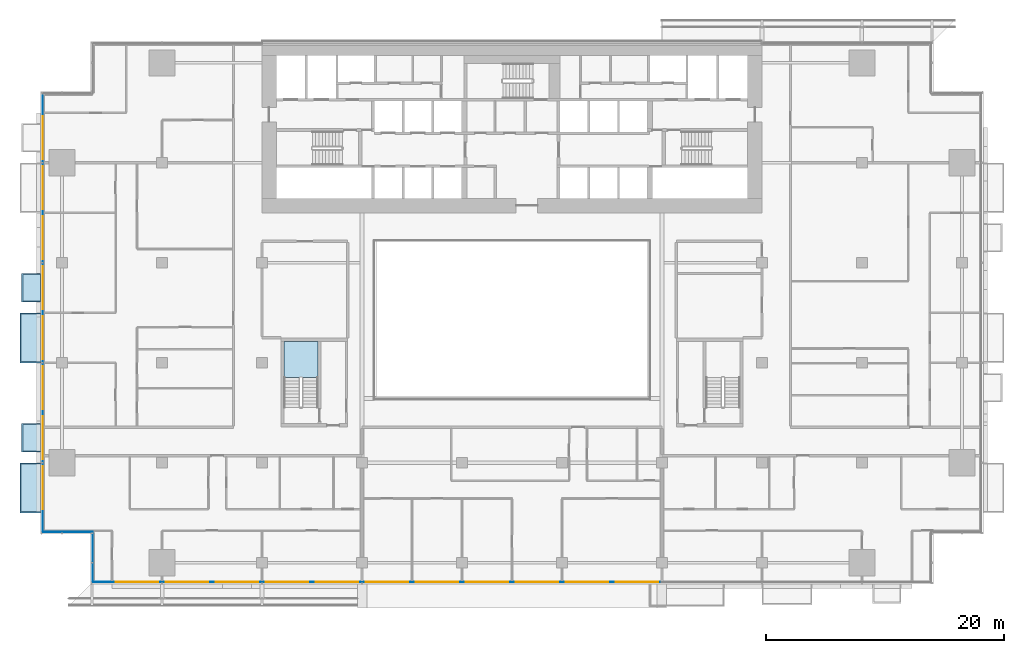
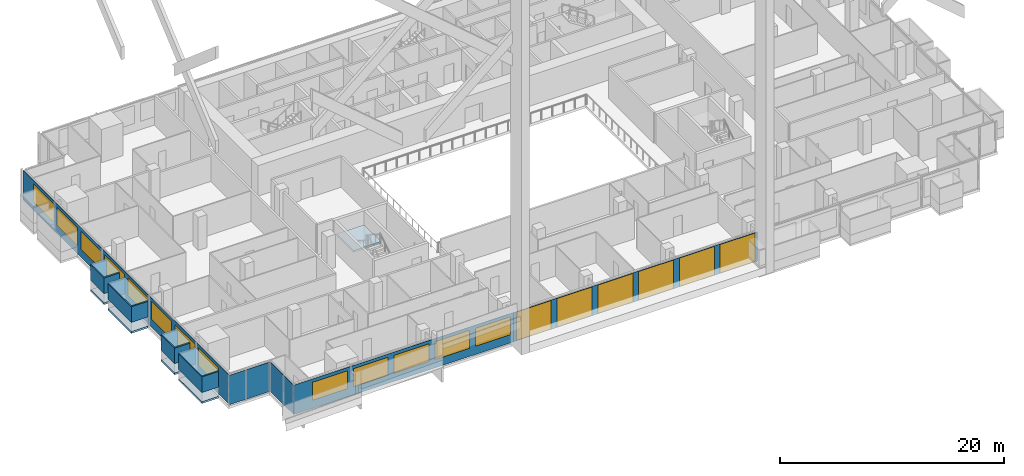
# One storey, part 14 of 30: 19 windows, 13 plates, 5 slabs, 19 openings, 5 elements without a shape of their own.
"""IFC4 building model written with IfcOpenShell, lengths in metres."""

import ifcopenshell
import ifcopenshell.guid

model = None  # the IFC model being written
_history = None  # IfcOwnerHistory: only IFC2X3 demands one
_inside = {}  # id of a spatial element -> (the spatial element, [elements in it])
_under = {}  # id of a project, library or spatial element -> (it, [spatial elements below it])
_declared = {}  # id of a project -> (the project, [libraries it declares])
_typed = {}  # id of a type object -> (the type object, [elements of that type])
_made_of = {}  # id of a material, layer set ... -> (it, [elements and type objects made of it])


def new_model(schema):
    """Start an empty IFC model of exactly this schema.

    Asked for "IFC4X3", IfcOpenShell would pick the latest addendum, in which some entities
    have other attributes; the version numbers below select the first issue.
    IFC2X3 requires an IfcOwnerHistory on every rooted entity: one is made here for all.
    """
    global model, _history
    if schema == "IFC4X3":
        model = ifcopenshell.file(schema_version=(4, 3, 0, 0))
    else:
        model = ifcopenshell.file(schema=schema)
    _inside.clear()
    _under.clear()
    _declared.clear()
    _typed.clear()
    _made_of.clear()
    _history = None
    if model.schema == "IFC2X3":
        org = make("IfcOrganization", Name="unknown")
        user = make(
            "IfcPersonAndOrganization",
            ThePerson=make("IfcPerson", FamilyName="unknown"),
            TheOrganization=org,
        )
        app = make(
            "IfcApplication",
            ApplicationDeveloper=org,
            Version="unknown",
            ApplicationFullName="unknown",
            ApplicationIdentifier="unknown",
        )
        _history = make(
            "IfcOwnerHistory",
            OwningUser=user,
            OwningApplication=app,
            ChangeAction="ADDED",
            CreationDate=0,
        )
    return model


def make(cls, **values):
    """One entity of the class cls with the attributes given. An attribute that is None is left unset."""
    return model.create_entity(
        cls, **{name: value for name, value in values.items() if value is not None}
    )


def rooted(cls, **values):
    """An entity with a GlobalId (a new one), such as an element, a storey or a relation."""
    return make(cls, GlobalId=ifcopenshell.guid.new(), OwnerHistory=_history, **values)


def si_unit(unit_type, name, prefix=None):
    """IfcSIUnit, for example si_unit("LENGTHUNIT", "METRE", prefix="MILLI")."""
    return make("IfcSIUnit", UnitType=unit_type, Prefix=prefix, Name=name)


def assignment(units):
    """IfcUnitAssignment: the units of a project."""
    return None if units is None else make("IfcUnitAssignment", Units=units)


def point(xyz):
    """IfcCartesianPoint."""
    return None if xyz is None else make("IfcCartesianPoint", Coordinates=xyz)


def direction(xyz):
    """IfcDirection."""
    return None if xyz is None else make("IfcDirection", DirectionRatios=xyz)


def frame(location, z_axis=None, x_axis=None):
    """IfcAxis2Placement3D, a coordinate frame: its origin and axes. An axis left out is left unset."""
    return make(
        "IfcAxis2Placement3D",
        Location=point(location),
        Axis=direction(z_axis),
        RefDirection=direction(x_axis),
    )


def frame_2d(location, x_axis=None):
    """IfcAxis2Placement2D, a coordinate frame in the plane: its origin and x axis."""
    return make(
        "IfcAxis2Placement2D", Location=point(location), RefDirection=direction(x_axis)
    )


def origin():
    """The frame at (0, 0, 0) with its axes left unset."""
    return frame((0.0, 0.0, 0.0))


def place(relative_to, where):
    """IfcLocalPlacement: puts the frame where relative to a parent placement (None: the world)."""
    return make(
        "IfcLocalPlacement", PlacementRelTo=relative_to, RelativePlacement=where
    )


def context(
    kind, dimensions, precision=None, world=None, true_north=None, identifier=None
):
    """IfcGeometricRepresentationContext, for example the 3D "Model" context."""
    return make(
        "IfcGeometricRepresentationContext",
        ContextIdentifier=identifier,
        ContextType=kind,
        CoordinateSpaceDimension=dimensions,
        Precision=precision,
        WorldCoordinateSystem=world,
        TrueNorth=true_north,
    )


def subcontext(parent, identifier, kind, view, scale=None):
    """IfcGeometricRepresentationSubContext, for example "Body" below "Model"."""
    return make(
        "IfcGeometricRepresentationSubContext",
        ContextIdentifier=identifier,
        ContextType=kind,
        ParentContext=parent,
        TargetScale=scale,
        TargetView=view,
    )


def project(units=None, contexts=None):
    """IfcProject with its units and contexts."""
    return rooted(
        "IfcProject",
        Name="project",
        RepresentationContexts=contexts,
        UnitsInContext=assignment(units),
    )


def spatial(cls, under=None, at=None, **own):
    """A site, building, storey or space (cls), placed at a placement, below another one or the project."""
    s = rooted(cls, ObjectPlacement=at, **own)
    if under is not None:
        _under.setdefault(under.id(), (under, []))[1].append(s)
    return s


def polyline(points):
    """IfcPolyline through the points."""
    return make("IfcPolyline", Points=[point(p) for p in points])


def profile(cls, at=None, kind="AREA", **sizes):
    """A parametric profile (cls). Its sizes go by their IFC names, for example OverallWidth=200.0."""
    return make(cls, ProfileType=kind, Position=at, **sizes)


def rectangle(**sizes):
    """IfcRectangleProfileDef."""
    return profile("IfcRectangleProfileDef", **sizes)


def outline(outer, holes=None, kind="AREA"):
    """IfcArbitraryClosedProfileDef: a profile drawn as a closed curve; with holes, ...WithVoids."""
    if holes is None:
        return make("IfcArbitraryClosedProfileDef", ProfileType=kind, OuterCurve=outer)
    return make(
        "IfcArbitraryProfileDefWithVoids",
        ProfileType=kind,
        OuterCurve=outer,
        InnerCurves=holes,
    )


def extrude(swept, where, along, depth):
    """IfcExtrudedAreaSolid: the profile swept, set in the frame where, extruded along a direction by depth."""
    return make(
        "IfcExtrudedAreaSolid",
        SweptArea=swept,
        Position=where,
        ExtrudedDirection=direction(along),
        Depth=depth,
    )


def shape(context_of_items, identifier, shape_type, items):
    """IfcShapeRepresentation: the items that make up one representation, for example the "Body"."""
    return make(
        "IfcShapeRepresentation",
        ContextOfItems=context_of_items,
        RepresentationIdentifier=identifier,
        RepresentationType=shape_type,
        Items=items,
    )


def material(Name=None, Category=None):
    """IfcMaterial."""
    return make("IfcMaterial", Name=Name, Category=Category)


def layer(
    of_material, thickness, ventilated=None, Name=None, Category=None, Priority=None
):
    """IfcMaterialLayer: one layer of a wall or slab, of a material (None: an air gap)."""
    return make(
        "IfcMaterialLayer",
        Material=of_material,
        LayerThickness=thickness,
        IsVentilated=ventilated,
        Name=Name,
        Category=Category,
        Priority=Priority,
    )


def layer_set(layers, Name=None):
    """IfcMaterialLayerSet."""
    return make("IfcMaterialLayerSet", MaterialLayers=layers, LayerSetName=Name)


def made_of(thing, what):
    """Note that an element or type object is made of a material, layer set ...; save() writes the relation."""
    if what is not None:
        _made_of.setdefault(what.id(), (what, []))[1].append(thing)
    return thing


def type_object(cls, material=None, **own):
    """A type object (cls), such as IfcWallType, which elements share."""
    return made_of(rooted(cls, **own), material)


def element(
    cls,
    number,
    at=None,
    inside=None,
    cuts=None,
    type_object=None,
    material=None,
    context=None,
    identifier="Body",
    shape_type=None,
    held_by="IfcProductDefinitionShape",
    body=None,
    shapes=None,
    **own,
):
    """One element of the class cls, such as IfcWall. Its Tag is "e" and its number.

    at: its placement. inside: the storey or other place that contains it. cuts: it is an
    opening in that element (IfcRelVoidsElement). A single representation is given by context,
    identifier, shape_type and body (its items); several are given by shapes. held_by: the class
    of the entity that holds the representations. save() writes the other relations.
    """
    e = rooted(cls, Tag="e%d" % number, ObjectPlacement=at, **own)
    if body is not None:
        shapes = [shape(context, identifier, shape_type, body)]
    if shapes is not None:
        e.Representation = make(held_by, Representations=shapes)
    if inside is not None:
        _inside.setdefault(inside.id(), (inside, []))[1].append(e)
    if cuts is not None:
        rooted(
            "IfcRelVoidsElement", RelatingBuildingElement=cuts, RelatedOpeningElement=e
        )
    if type_object is not None:
        _typed.setdefault(type_object.id(), (type_object, []))[1].append(e)
    return made_of(e, material)


def fill(opening, filler):
    """IfcRelFillsElement: the door or window that sits in an opening."""
    return rooted(
        "IfcRelFillsElement",
        RelatingOpeningElement=opening,
        RelatedBuildingElement=filler,
    )


def aggregate(whole, parts):
    """IfcRelAggregates: a whole, such as a stair, and the parts it consists of."""
    return rooted("IfcRelAggregates", RelatingObject=whole, RelatedObjects=parts)


def save(model, path):
    """Write the relations noted so far, then the file.

    IfcRelAggregates (storeys below a building ...), IfcRelContainedInSpatialStructure (elements
    in a storey), IfcRelDefinesByType, IfcRelAssociatesMaterial and IfcRelDeclares: one each for
    every whole, place, type object, material and project.
    """
    for whole, parts in _under.values():
        aggregate(whole, parts)
    for where, things in _inside.values():
        rooted(
            "IfcRelContainedInSpatialStructure",
            RelatedElements=things,
            RelatingStructure=where,
        )
    for kind, things in _typed.values():
        rooted("IfcRelDefinesByType", RelatedObjects=things, RelatingType=kind)
    for what, things in _made_of.values():
        rooted("IfcRelAssociatesMaterial", RelatedObjects=things, RelatingMaterial=what)
    for by, libraries in _declared.values():
        rooted("IfcRelDeclares", RelatingContext=by, RelatedDefinitions=libraries)
    model.write(path)


model = new_model("IFC4")

# Units and contexts
model_context = context("Model", 3, precision=1e-05, world=origin(), true_north=direction((0.0, 1.0)))
body_context = subcontext(model_context, "Body", "Model", "MODEL_VIEW")
ifc_project = project(units=[si_unit("LENGTHUNIT", "METRE"), si_unit("AREAUNIT", "SQUARE_METRE"), si_unit("VOLUMEUNIT", "CUBIC_METRE"), si_unit("PLANEANGLEUNIT", "RADIAN"), si_unit("MASSUNIT", "GRAM", prefix="KILO")], contexts=[model_context])

# Site, building, storey
site_placement = place(None, origin())
site = spatial("IfcSite", under=ifc_project, at=site_placement, CompositionType="ELEMENT")
building_placement = place(site_placement, origin())
building = spatial("IfcBuilding", under=site, at=building_placement, Name="Saffron Gate Tower", CompositionType="ELEMENT")
storey_placement = place(building_placement, frame((0.0, 0.0, 37.199951171875)))
storey = spatial("IfcBuildingStorey", under=building, at=storey_placement, Name="L07", CompositionType="ELEMENT", Elevation=37.199951171875)

# Curtain wall, plates, openings, windows
ifc_material_1 = material(Name="Aluminium, bronze anodised", Category="aluminium")
curtain_wall_type_1 = type_object("IfcCurtainWallType", Name="CWS1 curtain wall front facade", PredefinedType="NOTDEFINED", material=ifc_material_1)
curtain_wall_1_placement = place(storey_placement, origin())
curtain_wall_1 = element("IfcCurtainWall", 1, at=curtain_wall_1_placement, inside=storey, type_object=curtain_wall_type_1, Name="CWS1 run 1", PredefinedType="NOTDEFINED")
ifc_material_2 = material(Name="Clear low-iron laminated glass", Category="glass")
ifc_layer_1 = layer(ifc_material_2, 0.028076171875)
ifc_layer_set_1 = layer_set([ifc_layer_1], Name="CWS1 clear glass")
plate_type_1 = type_object("IfcPlateType", Name="CWS1 clear glass", PredefinedType="CURTAIN_PANEL", material=ifc_layer_set_1)
plate_1_placement = place(storey_placement, frame((75.030029296875, 30.174072265625, 0.0), z_axis=(0.0, 0.0, 1.0), x_axis=(1.0, 0.0, 0.0)))
plate_1 = element("IfcPlate", 2, at=plate_1_placement, type_object=plate_type_1, Name="CWS1 clear glass panel", PredefinedType="CURTAIN_PANEL", context=body_context, shape_type="SweptSolid", body=[
    extrude(rectangle(XDim=25.139892578125, YDim=0.028076171875, at=frame_2d((12.56982421875, 0.0))), origin(), (0.0, 0.0, 1.0), 3.199951171875),
])
opening_1_placement = place(plate_1_placement, frame((0.27001953125, 0.0, 0.050048828125)))
opening_1 = element("IfcOpeningElement", 3, at=opening_1_placement, cuts=plate_1, Name="Opening WA", PredefinedType="OPENING", context=body_context, shape_type="SweptSolid", body=[
    extrude(rectangle(XDim=3.60009765625, YDim=3.10009765625, at=frame_2d((1.800048828125, 1.550048828125))), frame((0.0, 0.02392578125, 0.0), z_axis=(0.0, -1.0, 0.0), x_axis=(1.0, 0.0, 0.0)), (0.0, 0.0, 1.0), 0.048095703125),
])
opening_2_placement = place(plate_1_placement, frame((4.469970703125, 0.0, 0.050048828125)))
opening_2 = element("IfcOpeningElement", 4, at=opening_2_placement, cuts=plate_1, Name="Opening WA", PredefinedType="OPENING", context=body_context, shape_type="SweptSolid", body=[
    extrude(rectangle(XDim=3.60009765625, YDim=3.10009765625, at=frame_2d((1.800048828125, 1.550048828125))), frame((0.0, 0.02392578125, 0.0), z_axis=(0.0, -1.0, 0.0), x_axis=(1.0, 0.0, 0.0)), (0.0, 0.0, 1.0), 0.048095703125),
])
opening_3_placement = place(plate_1_placement, frame((8.669921875, 0.0, 0.050048828125)))
opening_3 = element("IfcOpeningElement", 5, at=opening_3_placement, cuts=plate_1, Name="Opening WA", PredefinedType="OPENING", context=body_context, shape_type="SweptSolid", body=[
    extrude(rectangle(XDim=3.60009765625, YDim=3.10009765625, at=frame_2d((1.800048828125, 1.550048828125))), frame((0.0, 0.02392578125, 0.0), z_axis=(0.0, -1.0, 0.0), x_axis=(1.0, 0.0, 0.0)), (0.0, 0.0, 1.0), 0.048095703125),
])
opening_4_placement = place(plate_1_placement, frame((12.8701171875, 0.0, 0.050048828125)))
opening_4 = element("IfcOpeningElement", 6, at=opening_4_placement, cuts=plate_1, Name="Opening WA", PredefinedType="OPENING", context=body_context, shape_type="SweptSolid", body=[
    extrude(rectangle(XDim=3.60009765625, YDim=3.10009765625, at=frame_2d((1.800048828125, 1.550048828125))), frame((0.0, 0.02392578125, 0.0), z_axis=(0.0, -1.0, 0.0), x_axis=(1.0, 0.0, 0.0)), (0.0, 0.0, 1.0), 0.048095703125),
])
opening_5_placement = place(plate_1_placement, frame((17.070068359375, 0.0, 0.050048828125)))
opening_5 = element("IfcOpeningElement", 7, at=opening_5_placement, cuts=plate_1, Name="Opening WA", PredefinedType="OPENING", context=body_context, shape_type="SweptSolid", body=[
    extrude(rectangle(XDim=3.60009765625, YDim=3.10009765625, at=frame_2d((1.800048828125, 1.550048828125))), frame((0.0, 0.02392578125, 0.0), z_axis=(0.0, -1.0, 0.0), x_axis=(1.0, 0.0, 0.0)), (0.0, 0.0, 1.0), 0.048095703125),
])
opening_6_placement = place(plate_1_placement, frame((21.27001953125, 0.0, 0.050048828125)))
opening_6 = element("IfcOpeningElement", 8, at=opening_6_placement, cuts=plate_1, Name="Opening WA", PredefinedType="OPENING", context=body_context, shape_type="SweptSolid", body=[
    extrude(rectangle(XDim=3.60009765625, YDim=3.10009765625, at=frame_2d((1.800048828125, 1.550048828125))), frame((0.0, 0.02392578125, 0.0), z_axis=(0.0, -1.0, 0.0), x_axis=(1.0, 0.0, 0.0)), (0.0, 0.0, 1.0), 0.048095703125),
])
ifc_material_3 = material(Name="Clear low-iron laminated glass in bronze frame", Category="glass")
ifc_layer_2 = layer(ifc_material_3, 0.06005859375)
ifc_layer_set_2 = layer_set([ifc_layer_2], Name="WA operable atrium unit 3600x3100")
window_type_1 = type_object("IfcWindowType", Name="WA operable atrium unit 3600x3100", PartitioningType="DOUBLE_PANEL_HORIZONTAL", PredefinedType="WINDOW", material=ifc_layer_set_2)
window_1_placement = place(opening_1_placement, origin())
window_1 = element("IfcWindow", 9, at=window_1_placement, type_object=window_type_1, Name="WA operable atrium unit", OverallHeight=3.10009765625, OverallWidth=3.60009765625, PartitioningType="SINGLE_PANEL", PredefinedType="WINDOW", context=body_context, shape_type="SweptSolid", body=[
    extrude(rectangle(XDim=3.60009765625, YDim=3.10009765625, at=frame_2d((1.800048828125, 1.550048828125))), frame((0.0, 0.013671875, 0.0), z_axis=(0.0, -1.0, 0.0), x_axis=(1.0, 0.0, 0.0)), (0.0, 0.0, 1.0), 0.027587890625),
])
fill(opening_1, window_1)
window_2_placement = place(opening_2_placement, origin())
window_2 = element("IfcWindow", 10, at=window_2_placement, type_object=window_type_1, Name="WA operable atrium unit", OverallHeight=3.10009765625, OverallWidth=3.60009765625, PartitioningType="SINGLE_PANEL", PredefinedType="WINDOW", context=body_context, shape_type="SweptSolid", body=[
    extrude(rectangle(XDim=3.60009765625, YDim=3.10009765625, at=frame_2d((1.800048828125, 1.550048828125))), frame((0.0, 0.013671875, 0.0), z_axis=(0.0, -1.0, 0.0), x_axis=(1.0, 0.0, 0.0)), (0.0, 0.0, 1.0), 0.027587890625),
])
fill(opening_2, window_2)
window_3_placement = place(opening_3_placement, origin())
window_3 = element("IfcWindow", 11, at=window_3_placement, type_object=window_type_1, Name="WA operable atrium unit", OverallHeight=3.10009765625, OverallWidth=3.60009765625, PartitioningType="SINGLE_PANEL", PredefinedType="WINDOW", context=body_context, shape_type="SweptSolid", body=[
    extrude(rectangle(XDim=3.60009765625, YDim=3.10009765625, at=frame_2d((1.800048828125, 1.550048828125))), frame((0.0, 0.013671875, 0.0), z_axis=(0.0, -1.0, 0.0), x_axis=(1.0, 0.0, 0.0)), (0.0, 0.0, 1.0), 0.027587890625),
])
fill(opening_3, window_3)
window_4_placement = place(opening_4_placement, origin())
window_4 = element("IfcWindow", 12, at=window_4_placement, type_object=window_type_1, Name="WA operable atrium unit", OverallHeight=3.10009765625, OverallWidth=3.60009765625, PartitioningType="SINGLE_PANEL", PredefinedType="WINDOW", context=body_context, shape_type="SweptSolid", body=[
    extrude(rectangle(XDim=3.60009765625, YDim=3.10009765625, at=frame_2d((1.800048828125, 1.550048828125))), frame((0.0, 0.013671875, 0.0), z_axis=(0.0, -1.0, 0.0), x_axis=(1.0, 0.0, 0.0)), (0.0, 0.0, 1.0), 0.027587890625),
])
fill(opening_4, window_4)
window_5_placement = place(opening_5_placement, origin())
window_5 = element("IfcWindow", 13, at=window_5_placement, type_object=window_type_1, Name="WA operable atrium unit", OverallHeight=3.10009765625, OverallWidth=3.60009765625, PartitioningType="SINGLE_PANEL", PredefinedType="WINDOW", context=body_context, shape_type="SweptSolid", body=[
    extrude(rectangle(XDim=3.60009765625, YDim=3.10009765625, at=frame_2d((1.800048828125, 1.550048828125))), frame((0.0, 0.013671875, 0.0), z_axis=(0.0, -1.0, 0.0), x_axis=(1.0, 0.0, 0.0)), (0.0, 0.0, 1.0), 0.027587890625),
])
fill(opening_5, window_5)
window_6_placement = place(opening_6_placement, origin())
window_6 = element("IfcWindow", 14, at=window_6_placement, type_object=window_type_1, Name="WA operable atrium unit", OverallHeight=3.10009765625, OverallWidth=3.60009765625, PartitioningType="SINGLE_PANEL", PredefinedType="WINDOW", context=body_context, shape_type="SweptSolid", body=[
    extrude(rectangle(XDim=3.60009765625, YDim=3.10009765625, at=frame_2d((1.800048828125, 1.550048828125))), frame((0.0, 0.013671875, 0.0), z_axis=(0.0, -1.0, 0.0), x_axis=(1.0, 0.0, 0.0)), (0.0, 0.0, 1.0), 0.027587890625),
])
fill(opening_6, window_6)
ifc_material_4 = material(Name="Fritted bronze-tinted laminated glass", Category="glass")
ifc_layer_3 = layer(ifc_material_4, 0.028076171875)
ifc_layer_set_3 = layer_set([ifc_layer_3], Name="CWS1 fixed glass")
plate_type_2 = type_object("IfcPlateType", Name="CWS1 fixed glass", PredefinedType="CURTAIN_PANEL", material=ifc_layer_set_3)
plate_2_placement = place(storey_placement, frame((52.387939453125, 30.174072265625, 0.0), z_axis=(0.0, 0.0, 1.0), x_axis=(1.0, 0.0, 0.0)))
plate_2 = element("IfcPlate", 15, at=plate_2_placement, type_object=plate_type_2, Name="CWS1 glass panel", PredefinedType="CURTAIN_PANEL", context=body_context, shape_type="SweptSolid", body=[
    extrude(rectangle(XDim=22.64208984375, YDim=0.028076171875, at=frame_2d((11.321044921875, 0.0))), origin(), (0.0, 0.0, 1.0), 3.199951171875),
])
opening_7_placement = place(plate_2_placement, frame((1.912109375, 0.0, 0.89990234375)))
opening_7 = element("IfcOpeningElement", 16, at=opening_7_placement, cuts=plate_2, Name="Opening W1", PredefinedType="OPENING", context=body_context, shape_type="SweptSolid", body=[
    extrude(rectangle(XDim=3.60009765625, YDim=1.949951171875, at=frame_2d((1.800048828125, 0.97509765625))), frame((0.0, 0.02392578125, 0.0), z_axis=(0.0, -1.0, 0.0), x_axis=(1.0, 0.0, 0.0)), (0.0, 0.0, 1.0), 0.048095703125),
])
opening_8_placement = place(plate_2_placement, frame((6.112060546875, 0.0, 0.89990234375)))
opening_8 = element("IfcOpeningElement", 17, at=opening_8_placement, cuts=plate_2, Name="Opening W1", PredefinedType="OPENING", context=body_context, shape_type="SweptSolid", body=[
    extrude(rectangle(XDim=3.60009765625, YDim=1.949951171875, at=frame_2d((1.800048828125, 0.97509765625))), frame((0.0, 0.02392578125, 0.0), z_axis=(0.0, -1.0, 0.0), x_axis=(1.0, 0.0, 0.0)), (0.0, 0.0, 1.0), 0.048095703125),
])
opening_9_placement = place(plate_2_placement, frame((10.31201171875, 0.0, 0.89990234375)))
opening_9 = element("IfcOpeningElement", 18, at=opening_9_placement, cuts=plate_2, Name="Opening W1", PredefinedType="OPENING", context=body_context, shape_type="SweptSolid", body=[
    extrude(rectangle(XDim=3.60009765625, YDim=1.949951171875, at=frame_2d((1.800048828125, 0.97509765625))), frame((0.0, 0.02392578125, 0.0), z_axis=(0.0, -1.0, 0.0), x_axis=(1.0, 0.0, 0.0)), (0.0, 0.0, 1.0), 0.048095703125),
])
opening_10_placement = place(plate_2_placement, frame((14.511962890625, 0.0, 0.89990234375)))
opening_10 = element("IfcOpeningElement", 19, at=opening_10_placement, cuts=plate_2, Name="Opening W1", PredefinedType="OPENING", context=body_context, shape_type="SweptSolid", body=[
    extrude(rectangle(XDim=3.60009765625, YDim=1.949951171875, at=frame_2d((1.800048828125, 0.97509765625))), frame((0.0, 0.02392578125, 0.0), z_axis=(0.0, -1.0, 0.0), x_axis=(1.0, 0.0, 0.0)), (0.0, 0.0, 1.0), 0.048095703125),
])
opening_11_placement = place(plate_2_placement, frame((18.7119140625, 0.0, 0.89990234375)))
opening_11 = element("IfcOpeningElement", 20, at=opening_11_placement, cuts=plate_2, Name="Opening W1", PredefinedType="OPENING", context=body_context, shape_type="SweptSolid", body=[
    extrude(rectangle(XDim=3.60009765625, YDim=1.949951171875, at=frame_2d((1.800048828125, 0.97509765625))), frame((0.0, 0.02392578125, 0.0), z_axis=(0.0, -1.0, 0.0), x_axis=(1.0, 0.0, 0.0)), (0.0, 0.0, 1.0), 0.048095703125),
])
ifc_material_5 = material(Name="Fritted bronze-tinted laminated glass in bronze frame", Category="glass")
ifc_layer_4 = layer(ifc_material_5, 0.06005859375)
ifc_layer_set_4 = layer_set([ifc_layer_4], Name="W1 operable panel 3600x1950")
window_type_2 = type_object("IfcWindowType", Name="W1 operable panel 3600x1950", PartitioningType="DOUBLE_PANEL_HORIZONTAL", PredefinedType="WINDOW", material=ifc_layer_set_4)
window_7_placement = place(opening_7_placement, origin())
window_7 = element("IfcWindow", 21, at=window_7_placement, type_object=window_type_2, Name="W1 operable panel", OverallHeight=1.949951171875, OverallWidth=3.60009765625, PartitioningType="SINGLE_PANEL", PredefinedType="WINDOW", context=body_context, shape_type="SweptSolid", body=[
    extrude(rectangle(XDim=3.60009765625, YDim=1.949951171875, at=frame_2d((1.800048828125, 0.97509765625))), frame((0.0, 0.013671875, 0.0), z_axis=(0.0, -1.0, 0.0), x_axis=(1.0, 0.0, 0.0)), (0.0, 0.0, 1.0), 0.027587890625),
])
fill(opening_7, window_7)
window_8_placement = place(opening_8_placement, origin())
window_8 = element("IfcWindow", 22, at=window_8_placement, type_object=window_type_2, Name="W1 operable panel", OverallHeight=1.949951171875, OverallWidth=3.60009765625, PartitioningType="SINGLE_PANEL", PredefinedType="WINDOW", context=body_context, shape_type="SweptSolid", body=[
    extrude(rectangle(XDim=3.60009765625, YDim=1.949951171875, at=frame_2d((1.800048828125, 0.97509765625))), frame((0.0, 0.013671875, 0.0), z_axis=(0.0, -1.0, 0.0), x_axis=(1.0, 0.0, 0.0)), (0.0, 0.0, 1.0), 0.027587890625),
])
fill(opening_8, window_8)
window_9_placement = place(opening_9_placement, origin())
window_9 = element("IfcWindow", 23, at=window_9_placement, type_object=window_type_2, Name="W1 operable panel", OverallHeight=1.949951171875, OverallWidth=3.60009765625, PartitioningType="SINGLE_PANEL", PredefinedType="WINDOW", context=body_context, shape_type="SweptSolid", body=[
    extrude(rectangle(XDim=3.60009765625, YDim=1.949951171875, at=frame_2d((1.800048828125, 0.97509765625))), frame((0.0, 0.013671875, 0.0), z_axis=(0.0, -1.0, 0.0), x_axis=(1.0, 0.0, 0.0)), (0.0, 0.0, 1.0), 0.027587890625),
])
fill(opening_9, window_9)
window_10_placement = place(opening_10_placement, origin())
window_10 = element("IfcWindow", 24, at=window_10_placement, type_object=window_type_2, Name="W1 operable panel", OverallHeight=1.949951171875, OverallWidth=3.60009765625, PartitioningType="SINGLE_PANEL", PredefinedType="WINDOW", context=body_context, shape_type="SweptSolid", body=[
    extrude(rectangle(XDim=3.60009765625, YDim=1.949951171875, at=frame_2d((1.800048828125, 0.97509765625))), frame((0.0, 0.013671875, 0.0), z_axis=(0.0, -1.0, 0.0), x_axis=(1.0, 0.0, 0.0)), (0.0, 0.0, 1.0), 0.027587890625),
])
fill(opening_10, window_10)
window_11_placement = place(opening_11_placement, origin())
window_11 = element("IfcWindow", 25, at=window_11_placement, type_object=window_type_2, Name="W1 operable panel", OverallHeight=1.949951171875, OverallWidth=3.60009765625, PartitioningType="SINGLE_PANEL", PredefinedType="WINDOW", context=body_context, shape_type="SweptSolid", body=[
    extrude(rectangle(XDim=3.60009765625, YDim=1.949951171875, at=frame_2d((1.800048828125, 0.97509765625))), frame((0.0, 0.013671875, 0.0), z_axis=(0.0, -1.0, 0.0), x_axis=(1.0, 0.0, 0.0)), (0.0, 0.0, 1.0), 0.027587890625),
])
fill(opening_11, window_11)
aggregate(curtain_wall_1, [plate_2, plate_1, window_7, window_8, window_9, window_10, window_11, window_1, window_2, window_3, window_4, window_5, window_6])

# Curtain wall, plate, openings, windows
curtain_wall_type_2 = type_object("IfcCurtainWallType", Name="CWS2 curtain wall side facades", PredefinedType="NOTDEFINED", material=ifc_material_1)
curtain_wall_2_placement = place(storey_placement, origin())
curtain_wall_2 = element("IfcCurtainWall", 26, at=curtain_wall_2_placement, inside=storey, type_object=curtain_wall_type_2, Name="CWS2 run 10", PredefinedType="NOTDEFINED")
ifc_layer_5 = layer(ifc_material_4, 0.028076171875)
ifc_layer_set_5 = layer_set([ifc_layer_5], Name="CWS2 fixed glass")
plate_type_3 = type_object("IfcPlateType", Name="CWS2 fixed glass", PredefinedType="CURTAIN_PANEL", material=ifc_layer_set_5)
plate_3_placement = place(storey_placement, frame((48.174072265625, 71.2119140625, 0.0), z_axis=(0.0, 0.0, 1.0), x_axis=(0.0, -1.0, 0.0)))
plate_3 = element("IfcPlate", 27, at=plate_3_placement, type_object=plate_type_3, Name="CWS2 glass panel", PredefinedType="CURTAIN_PANEL", context=body_context, shape_type="SweptSolid", body=[
    extrude(rectangle(XDim=36.823974609375, YDim=0.028076171875, at=frame_2d((18.412109375, 0.0))), origin(), (0.0, 0.0, 1.0), 3.199951171875),
])
opening_12_placement = place(plate_3_placement, frame((1.912109375, 0.0, 0.89990234375)))
opening_12 = element("IfcOpeningElement", 28, at=opening_12_placement, cuts=plate_3, Name="Opening W1", PredefinedType="OPENING", context=body_context, shape_type="SweptSolid", body=[
    extrude(rectangle(XDim=3.60009765625, YDim=1.949951171875, at=frame_2d((1.800048828125, 0.97509765625))), frame((0.0, 0.02392578125, 0.0), z_axis=(0.0, -1.0, 0.0), x_axis=(1.0, 0.0, 0.0)), (0.0, 0.0, 1.0), 0.048095703125),
])
opening_13_placement = place(plate_3_placement, frame((6.112060546875, 0.0, 0.89990234375)))
opening_13 = element("IfcOpeningElement", 29, at=opening_13_placement, cuts=plate_3, Name="Opening W1", PredefinedType="OPENING", context=body_context, shape_type="SweptSolid", body=[
    extrude(rectangle(XDim=3.60009765625, YDim=1.949951171875, at=frame_2d((1.800048828125, 0.97509765625))), frame((0.0, 0.02392578125, 0.0), z_axis=(0.0, -1.0, 0.0), x_axis=(1.0, 0.0, 0.0)), (0.0, 0.0, 1.0), 0.048095703125),
])
opening_14_placement = place(plate_3_placement, frame((10.31201171875, 0.0, 0.89990234375)))
opening_14 = element("IfcOpeningElement", 30, at=opening_14_placement, cuts=plate_3, Name="Opening W1", PredefinedType="OPENING", context=body_context, shape_type="SweptSolid", body=[
    extrude(rectangle(XDim=3.60009765625, YDim=1.949951171875, at=frame_2d((1.800048828125, 0.97509765625))), frame((0.0, 0.02392578125, 0.0), z_axis=(0.0, -1.0, 0.0), x_axis=(1.0, 0.0, 0.0)), (0.0, 0.0, 1.0), 0.048095703125),
])
opening_15_placement = place(plate_3_placement, frame((14.511962890625, 0.0, 0.89990234375)))
opening_15 = element("IfcOpeningElement", 31, at=opening_15_placement, cuts=plate_3, Name="Opening W1", PredefinedType="OPENING", context=body_context, shape_type="SweptSolid", body=[
    extrude(rectangle(XDim=3.60009765625, YDim=1.949951171875, at=frame_2d((1.800048828125, 0.97509765625))), frame((0.0, 0.02392578125, 0.0), z_axis=(0.0, -1.0, 0.0), x_axis=(1.0, 0.0, 0.0)), (0.0, 0.0, 1.0), 0.048095703125),
])
opening_16_placement = place(plate_3_placement, frame((18.7119140625, 0.0, 0.89990234375)))
opening_16 = element("IfcOpeningElement", 32, at=opening_16_placement, cuts=plate_3, Name="Opening W1", PredefinedType="OPENING", context=body_context, shape_type="SweptSolid", body=[
    extrude(rectangle(XDim=3.60009765625, YDim=1.949951171875, at=frame_2d((1.800048828125, 0.97509765625))), frame((0.0, 0.02392578125, 0.0), z_axis=(0.0, -1.0, 0.0), x_axis=(1.0, 0.0, 0.0)), (0.0, 0.0, 1.0), 0.048095703125),
])
opening_17_placement = place(plate_3_placement, frame((22.912109375, 0.0, 0.89990234375)))
opening_17 = element("IfcOpeningElement", 33, at=opening_17_placement, cuts=plate_3, Name="Opening W1", PredefinedType="OPENING", context=body_context, shape_type="SweptSolid", body=[
    extrude(rectangle(XDim=3.60009765625, YDim=1.949951171875, at=frame_2d((1.800048828125, 0.97509765625))), frame((0.0, 0.02392578125, 0.0), z_axis=(0.0, -1.0, 0.0), x_axis=(1.0, 0.0, 0.0)), (0.0, 0.0, 1.0), 0.048095703125),
])
opening_18_placement = place(plate_3_placement, frame((27.112060546875, 0.0, 0.89990234375)))
opening_18 = element("IfcOpeningElement", 34, at=opening_18_placement, cuts=plate_3, Name="Opening W1", PredefinedType="OPENING", context=body_context, shape_type="SweptSolid", body=[
    extrude(rectangle(XDim=3.60009765625, YDim=1.949951171875, at=frame_2d((1.800048828125, 0.97509765625))), frame((0.0, 0.02392578125, 0.0), z_axis=(0.0, -1.0, 0.0), x_axis=(1.0, 0.0, 0.0)), (0.0, 0.0, 1.0), 0.048095703125),
])
opening_19_placement = place(plate_3_placement, frame((31.31201171875, 0.0, 0.89990234375)))
opening_19 = element("IfcOpeningElement", 35, at=opening_19_placement, cuts=plate_3, Name="Opening W1", PredefinedType="OPENING", context=body_context, shape_type="SweptSolid", body=[
    extrude(rectangle(XDim=3.60009765625, YDim=1.949951171875, at=frame_2d((1.800048828125, 0.97509765625))), frame((0.0, 0.02392578125, 0.0), z_axis=(0.0, -1.0, 0.0), x_axis=(1.0, 0.0, 0.0)), (0.0, 0.0, 1.0), 0.048095703125),
])
window_12_placement = place(opening_12_placement, origin())
window_12 = element("IfcWindow", 36, at=window_12_placement, type_object=window_type_2, Name="W1 operable panel", OverallHeight=1.949951171875, OverallWidth=3.60009765625, PartitioningType="SINGLE_PANEL", PredefinedType="WINDOW", context=body_context, shape_type="SweptSolid", body=[
    extrude(rectangle(XDim=3.60009765625, YDim=1.949951171875, at=frame_2d((1.800048828125, 0.97509765625))), frame((0.0, 0.013671875, 0.0), z_axis=(0.0, -1.0, 0.0), x_axis=(1.0, 0.0, 0.0)), (0.0, 0.0, 1.0), 0.027587890625),
])
fill(opening_12, window_12)
window_13_placement = place(opening_13_placement, origin())
window_13 = element("IfcWindow", 37, at=window_13_placement, type_object=window_type_2, Name="W1 operable panel", OverallHeight=1.949951171875, OverallWidth=3.60009765625, PartitioningType="SINGLE_PANEL", PredefinedType="WINDOW", context=body_context, shape_type="SweptSolid", body=[
    extrude(rectangle(XDim=3.60009765625, YDim=1.949951171875, at=frame_2d((1.800048828125, 0.97509765625))), frame((0.0, 0.013671875, 0.0), z_axis=(0.0, -1.0, 0.0), x_axis=(1.0, 0.0, 0.0)), (0.0, 0.0, 1.0), 0.027587890625),
])
fill(opening_13, window_13)
window_14_placement = place(opening_14_placement, origin())
window_14 = element("IfcWindow", 38, at=window_14_placement, type_object=window_type_2, Name="W1 operable panel", OverallHeight=1.949951171875, OverallWidth=3.60009765625, PartitioningType="SINGLE_PANEL", PredefinedType="WINDOW", context=body_context, shape_type="SweptSolid", body=[
    extrude(rectangle(XDim=3.60009765625, YDim=1.949951171875, at=frame_2d((1.800048828125, 0.97509765625))), frame((0.0, 0.013671875, 0.0), z_axis=(0.0, -1.0, 0.0), x_axis=(1.0, 0.0, 0.0)), (0.0, 0.0, 1.0), 0.027587890625),
])
fill(opening_14, window_14)
window_15_placement = place(opening_15_placement, origin())
window_15 = element("IfcWindow", 39, at=window_15_placement, type_object=window_type_2, Name="W1 operable panel", OverallHeight=1.949951171875, OverallWidth=3.60009765625, PartitioningType="SINGLE_PANEL", PredefinedType="WINDOW", context=body_context, shape_type="SweptSolid", body=[
    extrude(rectangle(XDim=3.60009765625, YDim=1.949951171875, at=frame_2d((1.800048828125, 0.97509765625))), frame((0.0, 0.013671875, 0.0), z_axis=(0.0, -1.0, 0.0), x_axis=(1.0, 0.0, 0.0)), (0.0, 0.0, 1.0), 0.027587890625),
])
fill(opening_15, window_15)
window_16_placement = place(opening_16_placement, origin())
window_16 = element("IfcWindow", 40, at=window_16_placement, type_object=window_type_2, Name="W1 operable panel", OverallHeight=1.949951171875, OverallWidth=3.60009765625, PartitioningType="SINGLE_PANEL", PredefinedType="WINDOW", context=body_context, shape_type="SweptSolid", body=[
    extrude(rectangle(XDim=3.60009765625, YDim=1.949951171875, at=frame_2d((1.800048828125, 0.97509765625))), frame((0.0, 0.013671875, 0.0), z_axis=(0.0, -1.0, 0.0), x_axis=(1.0, 0.0, 0.0)), (0.0, 0.0, 1.0), 0.027587890625),
])
fill(opening_16, window_16)
window_17_placement = place(opening_17_placement, origin())
window_17 = element("IfcWindow", 41, at=window_17_placement, type_object=window_type_2, Name="W1 operable panel", OverallHeight=1.949951171875, OverallWidth=3.60009765625, PartitioningType="SINGLE_PANEL", PredefinedType="WINDOW", context=body_context, shape_type="SweptSolid", body=[
    extrude(rectangle(XDim=3.60009765625, YDim=1.949951171875, at=frame_2d((1.800048828125, 0.97509765625))), frame((0.0, 0.013671875, 0.0), z_axis=(0.0, -1.0, 0.0), x_axis=(1.0, 0.0, 0.0)), (0.0, 0.0, 1.0), 0.027587890625),
])
fill(opening_17, window_17)
window_18_placement = place(opening_18_placement, origin())
window_18 = element("IfcWindow", 42, at=window_18_placement, type_object=window_type_2, Name="W1 operable panel", OverallHeight=1.949951171875, OverallWidth=3.60009765625, PartitioningType="SINGLE_PANEL", PredefinedType="WINDOW", context=body_context, shape_type="SweptSolid", body=[
    extrude(rectangle(XDim=3.60009765625, YDim=1.949951171875, at=frame_2d((1.800048828125, 0.97509765625))), frame((0.0, 0.013671875, 0.0), z_axis=(0.0, -1.0, 0.0), x_axis=(1.0, 0.0, 0.0)), (0.0, 0.0, 1.0), 0.027587890625),
])
fill(opening_18, window_18)
window_19_placement = place(opening_19_placement, origin())
window_19 = element("IfcWindow", 43, at=window_19_placement, type_object=window_type_2, Name="W1 operable panel", OverallHeight=1.949951171875, OverallWidth=3.60009765625, PartitioningType="SINGLE_PANEL", PredefinedType="WINDOW", context=body_context, shape_type="SweptSolid", body=[
    extrude(rectangle(XDim=3.60009765625, YDim=1.949951171875, at=frame_2d((1.800048828125, 0.97509765625))), frame((0.0, 0.013671875, 0.0), z_axis=(0.0, -1.0, 0.0), x_axis=(1.0, 0.0, 0.0)), (0.0, 0.0, 1.0), 0.027587890625),
])
fill(opening_19, window_19)
aggregate(curtain_wall_2, [plate_3, window_12, window_13, window_14, window_15, window_16, window_17, window_18, window_19])

# Curtain wall, plate
curtain_wall_type_3 = type_object("IfcCurtainWallType", Name="CWS4 curtain wall corner returns", PredefinedType="NOTDEFINED", material=ifc_material_1)
curtain_wall_3_placement = place(storey_placement, origin())
curtain_wall_3 = element("IfcCurtainWall", 44, at=curtain_wall_3_placement, inside=storey, type_object=curtain_wall_type_3, Name="CWS4 run 11", PredefinedType="NOTDEFINED")
ifc_layer_6 = layer(ifc_material_4, 0.028076171875)
ifc_layer_set_6 = layer_set([ifc_layer_6], Name="CWS4 fixed glass")
plate_type_4 = type_object("IfcPlateType", Name="CWS4 fixed glass", PredefinedType="CURTAIN_PANEL", material=ifc_layer_set_6)
plate_4_placement = place(storey_placement, frame((48.18798828125, 34.3740234375, 0.0), z_axis=(0.0, 0.0, 1.0), x_axis=(1.0, 0.0, 0.0)))
plate_4 = element("IfcPlate", 45, at=plate_4_placement, type_object=plate_type_4, Name="CWS4 glass panel", PredefinedType="CURTAIN_PANEL", context=body_context, shape_type="SweptSolid", body=[
    extrude(rectangle(XDim=4.172119140625, YDim=0.028076171875, at=frame_2d((2.0859375, 0.0))), origin(), (0.0, 0.0, 1.0), 3.199951171875),
])
aggregate(curtain_wall_3, [plate_4])

curtain_wall_4_placement = place(storey_placement, origin())
curtain_wall_4 = element("IfcCurtainWall", 46, at=curtain_wall_4_placement, inside=storey, type_object=curtain_wall_type_3, Name="CWS4 run 12", PredefinedType="NOTDEFINED")
plate_5_placement = place(storey_placement, frame((52.3740234375, 34.360107421875, 0.0), z_axis=(0.0, 0.0, 1.0), x_axis=(0.0, -1.0, 0.0)))
plate_5 = element("IfcPlate", 47, at=plate_5_placement, type_object=plate_type_4, Name="CWS4 glass panel", PredefinedType="CURTAIN_PANEL", context=body_context, shape_type="SweptSolid", body=[
    extrude(rectangle(XDim=4.172119140625, YDim=0.028076171875, at=frame_2d((2.0859375, 0.0))), origin(), (0.0, 0.0, 1.0), 3.199951171875),
])
aggregate(curtain_wall_4, [plate_5])

# Stair, slab
ifc_material_6 = material(Name="Concrete C40", Category="concrete")
stair_type = type_object("IfcStairType", Name="ST7 Stair 1350 wide, 20 risers of 180", PredefinedType="HALF_TURN_STAIR", material=ifc_material_6)
stair_placement = place(storey_placement, origin())
stair = element("IfcStair", 48, at=stair_placement, inside=storey, type_object=stair_type, Name="L07 Exit stair D", PredefinedType="HALF_TURN_STAIR")
ifc_layer_7 = layer(ifc_material_6, 0.199951171875)
ifc_layer_set_7 = layer_set([ifc_layer_7], Name="SL1 Stair landing 200")
slab_type_1 = type_object("IfcSlabType", Name="SL1 Stair landing 200", PredefinedType="LANDING", material=ifc_layer_set_7)
slab_1_placement = place(storey_placement, frame((0.0, 0.0, 1.60009765625)))
slab_1 = element("IfcSlab", 49, at=slab_1_placement, type_object=slab_type_1, Name="ST-D landing 1", PredefinedType="LANDING", context=body_context, shape_type="SweptSolid", body=[
    extrude(outline(polyline([(71.300048828125, 47.3701171875), (71.300048828125, 50.39990234375), (68.449951171875, 50.39990234375), (68.449951171875, 47.3701171875), (71.300048828125, 47.3701171875)])), origin(), (0.0, 0.0, 1.0), 0.199951171875),
])
aggregate(stair, [slab_1])

# Slabs
ifc_material_7 = material(Name="Timber deck on bronze frame", Category="wood")
ifc_layer_8 = layer(ifc_material_7, 0.199951171875)
ifc_layer_set_8 = layer_set([ifc_layer_8], Name="WB1 box floor")
slab_type_2 = type_object("IfcSlabType", Name="WB1 box floor", PredefinedType="FLOOR", material=ifc_layer_set_8)
slab_2_placement = place(storey_placement, frame((0.0, 0.0, -0.199951171875)))
element("IfcSlab", 50, at=slab_2_placement, inside=storey, type_object=slab_type_2, Name="WINDOW BOX floor", PredefinedType="FLOOR", context=body_context, shape_type="SweptSolid", body=[
    extrude(outline(polyline([(48.0, 56.10009765625), (48.0, 53.699951171875), (46.39990234375, 53.699951171875), (46.39990234375, 56.10009765625), (48.0, 56.10009765625)])), origin(), (0.0, 0.0, 1.0), 0.199951171875),
])
slab_3_placement = place(storey_placement, frame((0.0, 0.0, -0.199951171875)))
element("IfcSlab", 51, at=slab_3_placement, inside=storey, type_object=slab_type_2, Name="WINDOW BOX floor", PredefinedType="FLOOR", context=body_context, shape_type="SweptSolid", body=[
    extrude(outline(polyline([(48.0, 52.800048828125), (48.0, 48.60009765625), (46.26708984375, 48.60009765625), (46.26708984375, 52.800048828125), (48.0, 52.800048828125)])), origin(), (0.0, 0.0, 1.0), 0.199951171875),
])
slab_4_placement = place(storey_placement, frame((0.0, 0.0, -0.199951171875)))
element("IfcSlab", 52, at=slab_4_placement, inside=storey, type_object=slab_type_2, Name="WINDOW BOX floor", PredefinedType="FLOOR", context=body_context, shape_type="SweptSolid", body=[
    extrude(outline(polyline([(48.0, 43.5), (48.0, 41.10009765625), (46.39990234375, 41.10009765625), (46.39990234375, 43.5), (48.0, 43.5)])), origin(), (0.0, 0.0, 1.0), 0.199951171875),
])
slab_5_placement = place(storey_placement, frame((0.0, 0.0, -0.199951171875)))
element("IfcSlab", 53, at=slab_5_placement, inside=storey, type_object=slab_type_2, Name="WINDOW BOX floor", PredefinedType="FLOOR", context=body_context, shape_type="SweptSolid", body=[
    extrude(outline(polyline([(48.0, 40.199951171875), (48.0, 36.0), (46.26708984375, 36.0), (46.26708984375, 40.199951171875), (48.0, 40.199951171875)])), origin(), (0.0, 0.0, 1.0), 0.199951171875),
])

# Plates
ifc_layer_9 = layer(ifc_material_1, 0.1201171875)
ifc_layer_set_9 = layer_set([ifc_layer_9], Name="WB2 box roof")
plate_type_5 = type_object("IfcPlateType", Name="WB2 box roof", PredefinedType="SHEET", material=ifc_layer_set_9)
plate_6_placement = place(storey_placement, frame((0.0, 0.0, 2.699951171875)))
element("IfcPlate", 54, at=plate_6_placement, inside=storey, type_object=plate_type_5, Name="WINDOW BOX roof", PredefinedType="SHEET", context=body_context, shape_type="SweptSolid", body=[
    extrude(outline(polyline([(48.0, 56.10009765625), (48.0, 53.699951171875), (46.39990234375, 53.699951171875), (46.39990234375, 56.10009765625), (48.0, 56.10009765625)])), origin(), (0.0, 0.0, 1.0), 0.1201171875),
])
plate_7_placement = place(storey_placement, frame((0.0, 0.0, 2.699951171875)))
element("IfcPlate", 55, at=plate_7_placement, inside=storey, type_object=plate_type_5, Name="WINDOW BOX roof", PredefinedType="SHEET", context=body_context, shape_type="SweptSolid", body=[
    extrude(outline(polyline([(48.0, 52.800048828125), (48.0, 48.60009765625), (46.26708984375, 48.60009765625), (46.26708984375, 52.800048828125), (48.0, 52.800048828125)])), origin(), (0.0, 0.0, 1.0), 0.1201171875),
])
plate_8_placement = place(storey_placement, frame((0.0, 0.0, 2.699951171875)))
element("IfcPlate", 56, at=plate_8_placement, inside=storey, type_object=plate_type_5, Name="WINDOW BOX roof", PredefinedType="SHEET", context=body_context, shape_type="SweptSolid", body=[
    extrude(outline(polyline([(48.0, 43.5), (48.0, 41.10009765625), (46.39990234375, 41.10009765625), (46.39990234375, 43.5), (48.0, 43.5)])), origin(), (0.0, 0.0, 1.0), 0.1201171875),
])
plate_9_placement = place(storey_placement, frame((0.0, 0.0, 2.699951171875)))
element("IfcPlate", 57, at=plate_9_placement, inside=storey, type_object=plate_type_5, Name="WINDOW BOX roof", PredefinedType="SHEET", context=body_context, shape_type="SweptSolid", body=[
    extrude(outline(polyline([(48.0, 40.199951171875), (48.0, 36.0), (46.26708984375, 36.0), (46.26708984375, 40.199951171875), (48.0, 40.199951171875)])), origin(), (0.0, 0.0, 1.0), 0.1201171875),
])
ifc_layer_10 = layer(ifc_material_2, 0.10009765625)
ifc_layer_set_10 = layer_set([ifc_layer_10], Name="WB6 box glazing")
plate_type_6 = type_object("IfcPlateType", Name="WB6 box glazing", PredefinedType="SHEET", material=ifc_layer_set_10)
plate_10_placement = place(storey_placement, frame((0.0, 0.0, 1.0)))
element("IfcPlate", 58, at=plate_10_placement, inside=storey, type_object=plate_type_6, Name="WINDOW BOX glazing", PredefinedType="SHEET", context=body_context, shape_type="SweptSolid", body=[
    extrude(outline(polyline([(48.0, 56.10009765625), (48.0, 56.0), (46.5, 56.0), (46.5, 53.800048828125), (48.0, 53.800048828125), (48.0, 53.699951171875), (46.39990234375, 53.699951171875), (46.39990234375, 56.10009765625), (48.0, 56.10009765625)])), origin(), (0.0, 0.0, 1.0), 1.699951171875),
])
plate_11_placement = place(storey_placement, frame((0.0, 0.0, 1.0)))
element("IfcPlate", 59, at=plate_11_placement, inside=storey, type_object=plate_type_6, Name="WINDOW BOX glazing", PredefinedType="SHEET", context=body_context, shape_type="SweptSolid", body=[
    extrude(outline(polyline([(48.0, 52.800048828125), (48.0, 52.699951171875), (46.366943359375, 52.699951171875), (46.366943359375, 48.699951171875), (48.0, 48.699951171875), (48.0, 48.60009765625), (46.26708984375, 48.60009765625), (46.26708984375, 52.800048828125), (48.0, 52.800048828125)])), origin(), (0.0, 0.0, 1.0), 1.699951171875),
])
plate_12_placement = place(storey_placement, frame((0.0, 0.0, 1.0)))
element("IfcPlate", 60, at=plate_12_placement, inside=storey, type_object=plate_type_6, Name="WINDOW BOX glazing", PredefinedType="SHEET", context=body_context, shape_type="SweptSolid", body=[
    extrude(outline(polyline([(48.0, 43.5), (48.0, 43.39990234375), (46.5, 43.39990234375), (46.5, 41.199951171875), (48.0, 41.199951171875), (48.0, 41.10009765625), (46.39990234375, 41.10009765625), (46.39990234375, 43.5), (48.0, 43.5)])), origin(), (0.0, 0.0, 1.0), 1.699951171875),
])
plate_13_placement = place(storey_placement, frame((0.0, 0.0, 1.0)))
element("IfcPlate", 61, at=plate_13_placement, inside=storey, type_object=plate_type_6, Name="WINDOW BOX glazing", PredefinedType="SHEET", context=body_context, shape_type="SweptSolid", body=[
    extrude(outline(polyline([(48.0, 40.199951171875), (48.0, 40.10009765625), (46.366943359375, 40.10009765625), (46.366943359375, 36.10009765625), (48.0, 36.10009765625), (48.0, 36.0), (46.26708984375, 36.0), (46.26708984375, 40.199951171875), (48.0, 40.199951171875)])), origin(), (0.0, 0.0, 1.0), 1.699951171875),
])

save(model, "model.ifc")
